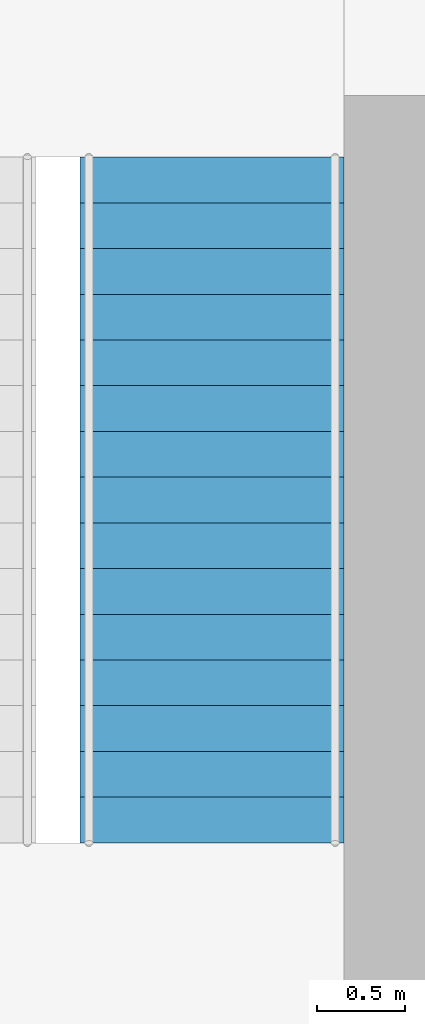
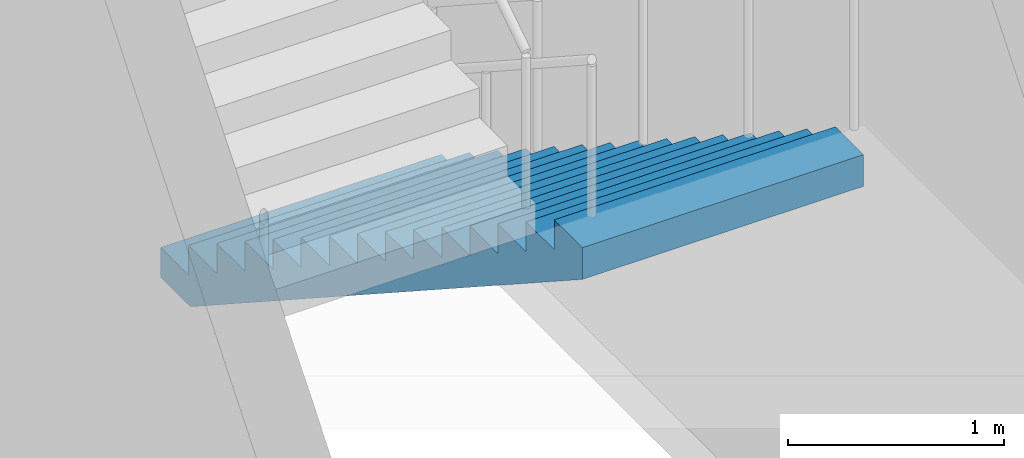
# One storey, part 6 of 7: 1 stair flight, 1 element without a shape of its own.
"""IFC4 building model written with IfcOpenShell, lengths in metres."""

from ifc_helpers import new_model, si_unit, direction, frame, origin, place, context, subcontext, project, spatial, polyline, outline, extrude, material, type_object, element, aggregate, save


model = new_model("IFC4")

# Units and contexts
model_context = context("Model", 3, precision=1e-05, world=origin(), true_north=direction((0.0, 1.0)))
body_context = subcontext(model_context, "Body", "Model", "MODEL_VIEW")
ifc_project = project(units=[si_unit("LENGTHUNIT", "METRE"), si_unit("AREAUNIT", "SQUARE_METRE"), si_unit("VOLUMEUNIT", "CUBIC_METRE"), si_unit("PLANEANGLEUNIT", "RADIAN"), si_unit("MASSUNIT", "GRAM", prefix="KILO")], contexts=[model_context])

# Site, building, storey
site_placement = place(None, origin())
site = spatial("IfcSite", under=ifc_project, at=site_placement, CompositionType="ELEMENT")
building_placement = place(site_placement, origin())
building = spatial("IfcBuilding", under=site, at=building_placement, Name="Highveld Stack Headquarters", CompositionType="ELEMENT")
storey_placement = place(building_placement, frame((0.0, 0.0, 164.0)))
storey = spatial("IfcBuildingStorey", under=building, at=storey_placement, Name="L40", CompositionType="ELEMENT", Elevation=164.0)

# Stair, stair flight
ifc_material_1 = material(Name="Concrete C40/50, precast", Category="concrete")
stair_type = type_object("IfcStairType", Name="STAIR S2 HALF TURN 1500", PredefinedType="HALF_TURN_STAIR", material=ifc_material_1)
stair_placement = place(storey_placement, origin())
stair = element("IfcStair", 1, at=stair_placement, inside=storey, type_object=stair_type, Name="Stair S2 L40", PredefinedType="HALF_TURN_STAIR")
ifc_material_2 = material(Name="Concrete C40/50, precast", Category="concrete")
stair_flight_type = type_object("IfcStairFlightType", Name="STAIR FLIGHT 1500 PRECAST", PredefinedType="STRAIGHT", material=ifc_material_2)
stair_flight_placement = place(storey_placement, frame((16.85009765625, 1.25, 0.0), z_axis=(0.0, 0.0, 1.0), x_axis=(0.0, -1.0, 0.0)))
stair_flight = element("IfcStairFlight", 2, at=stair_flight_placement, type_object=stair_flight_type, Name="S2 flight 1", NumberOfRisers=16, NumberOfTreads=15, PredefinedType="STRAIGHT", RiserHeight=0.16875, TreadLength=0.26, context=body_context, shape_type="SweptSolid", body=[
    extrude(outline(polyline([(0.0, 0.0), (0.0, 0.168701171875), (0.260009765625, 0.168701171875), (0.260009765625, 0.33740234375), (0.52001953125, 0.33740234375), (0.52001953125, 0.50634765625), (0.780029296875, 0.50634765625), (0.780029296875, 0.675048828125), (1.0400390625, 0.675048828125), (1.0400390625, 0.84375), (1.300048828125, 0.84375), (1.300048828125, 1.012451171875), (1.56005859375, 1.012451171875), (1.56005859375, 1.18115234375), (1.820068359375, 1.18115234375), (1.820068359375, 1.35009765625), (2.080078125, 1.35009765625), (2.080078125, 1.518798828125), (2.340087890625, 1.518798828125), (2.340087890625, 1.6875), (2.60009765625, 1.6875), (2.60009765625, 1.856201171875), (2.860107421875, 1.856201171875), (2.860107421875, 2.02490234375), (3.1201171875, 2.02490234375), (3.1201171875, 2.19384765625), (3.3798828125, 2.19384765625), (3.3798828125, 2.362548828125), (3.639892578125, 2.362548828125), (3.639892578125, 2.53125), (3.89990234375, 2.53125), (3.89990234375, 2.699951171875), (3.89990234375, 2.3525390625), (0.275390625, 0.0), (0.0, 0.0)])), frame((0.0, 0.75, 0.0), z_axis=(0.0, -1.0, 0.0), x_axis=(1.0, 0.0, 0.0)), (0.0, 0.0, 1.0), 1.5),
])
aggregate(stair, [stair_flight])

save(model, "model.ifc")
